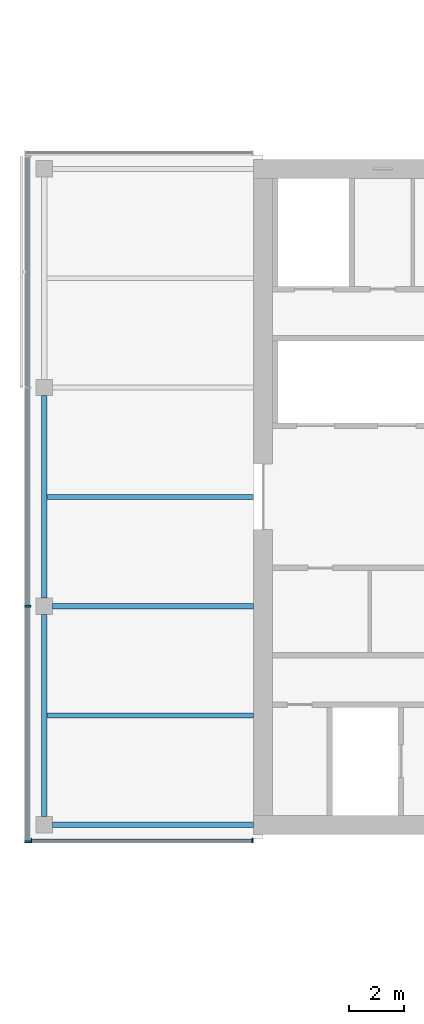
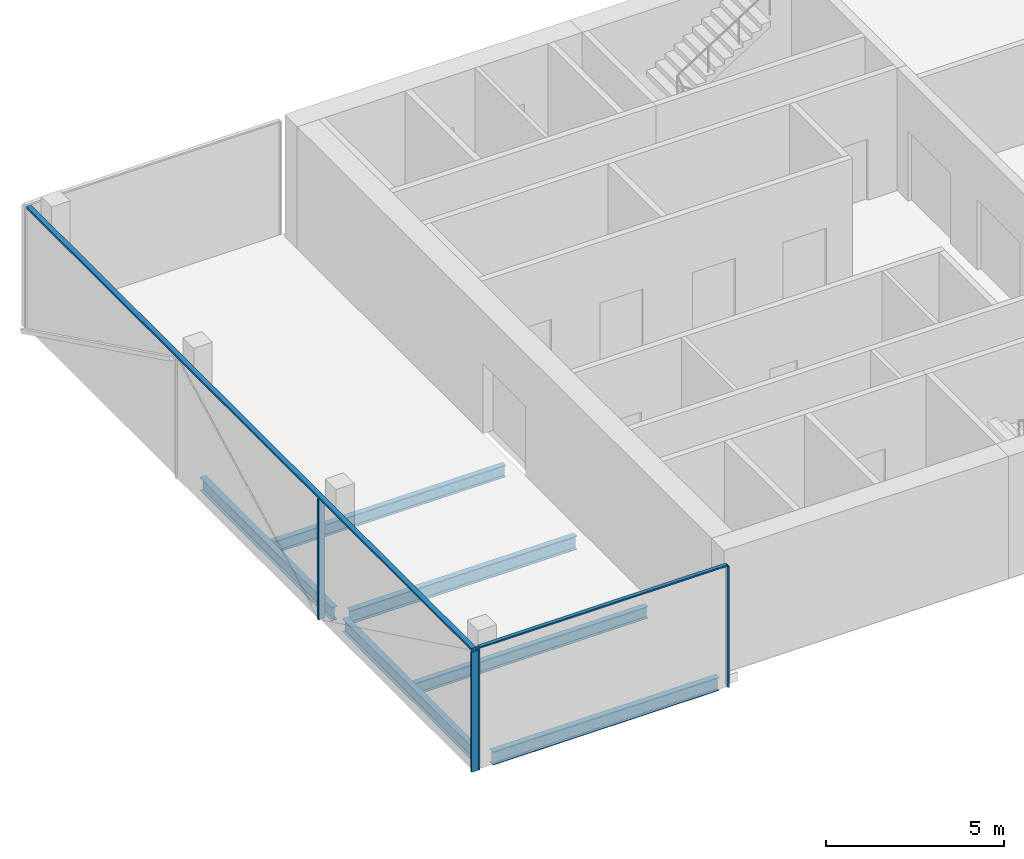
# One storey, part 3 of 22: 6 beams, 6 members, 2 elements without a shape of their own.
"""IFC4 building model written with IfcOpenShell, lengths in metres."""

from ifc_helpers import new_model, si_unit, direction, frame, origin, origin_2d, place, context, subcontext, project, spatial, rectangle, i_section, extrude, material, material_profile, profile_set, type_object, element, aggregate, save


model = new_model("IFC4")

# Units and contexts
model_context = context("Model", 3, precision=1e-05, world=origin(), true_north=direction((0.0, 1.0)))
body_context = subcontext(model_context, "Body", "Model", "MODEL_VIEW")
ifc_project = project(units=[si_unit("LENGTHUNIT", "METRE"), si_unit("AREAUNIT", "SQUARE_METRE"), si_unit("VOLUMEUNIT", "CUBIC_METRE"), si_unit("PLANEANGLEUNIT", "RADIAN"), si_unit("MASSUNIT", "GRAM", prefix="KILO")], contexts=[model_context])

# Site, building, storey
site_placement = place(None, origin())
site = spatial("IfcSite", under=ifc_project, at=site_placement, CompositionType="ELEMENT")
building_placement = place(site_placement, origin())
building = spatial("IfcBuilding", under=site, at=building_placement, Name="Crosswind Convention Tower", CompositionType="ELEMENT")
storey_placement = place(building_placement, frame((0.0, 0.0, 121.10009765625)))
storey = spatial("IfcBuildingStorey", under=building, at=storey_placement, Name="L24", CompositionType="ELEMENT", Elevation=121.10009765625)

# Beams
ifc_material_1 = material(Name="Steel S355", Category="steel")
ifc_material_profile_1 = material_profile(ifc_material_1, i_section(OverallWidth=0.18994140625, OverallDepth=0.45361328125, WebThickness=0.008544921875, FlangeThickness=0.0126953125, FilletRadius=0.01025390625, at=origin_2d()), Name="UB 457x191x67")
ifc_profile_set_1 = profile_set([ifc_material_profile_1], Name="Steel S355")
beam_type_1 = type_object("IfcBeamType", Name="Edge beam UB 457x191x67", PredefinedType="SPANDREL", material=ifc_profile_set_1)
for number, where, z_axis, x_axis, name in (
    (1, (89.0, 88.300048828125, -0.52685546875), (0.0, 1.0, 0.0), (-1.0, 0.0, 0.0), "B16 L24 edge beam 1"),
    (2, (89.0, 96.300048828125, -0.52685546875), (0.0, 1.0, 0.0), (-1.0, 0.0, 0.0), "B16 L24 edge beam 2"),
):
    element("IfcBeam", number, at=place(storey_placement, frame(where, z_axis=z_axis, x_axis=x_axis)), inside=storey, type_object=beam_type_1, Name=name, PredefinedType="SPANDREL", context=body_context, shape_type="SweptSolid", body=[
        extrude(i_section(OverallWidth=0.18994140625, OverallDepth=0.45361328125, WebThickness=0.008544921875, FlangeThickness=0.0126953125, FilletRadius=0.01025390625, at=origin_2d()), origin(), (0.0, 0.0, 1.0), 7.39990234375),
    ])
beam_1_placement = place(storey_placement, frame((89.300048828125, 88.0, -0.52685546875), z_axis=(1.0, 0.0, 0.0), x_axis=(0.0, 1.0, 0.0)))
element("IfcBeam", 3, at=beam_1_placement, inside=storey, type_object=beam_type_1, Name="B16 L24 edge beam 4", PredefinedType="SPANDREL", context=body_context, shape_type="SweptSolid", body=[
    extrude(i_section(OverallWidth=0.18994140625, OverallDepth=0.45361328125, WebThickness=0.008544921875, FlangeThickness=0.0126953125, FilletRadius=0.01025390625, at=origin_2d()), origin(), (0.0, 0.0, 1.0), 7.349853515625),
])
ifc_material_profile_2 = material_profile(ifc_material_1, i_section(OverallWidth=0.19189453125, OverallDepth=0.463623046875, WebThickness=0.010498046875, FlangeThickness=0.017578125, FilletRadius=0.01025390625, at=origin_2d()), Name="UB 457x191x90")
ifc_profile_set_2 = profile_set([ifc_material_profile_2], Name="Steel S355")
beam_type_2 = type_object("IfcBeamType", Name="Girder at core wall UB 457x191x90", PredefinedType="BEAM", material=ifc_profile_set_2)
beam_2_placement = place(storey_placement, frame((89.300048828125, 96.0, -0.531982421875), z_axis=(1.0, 0.0, 0.0), x_axis=(0.0, 1.0, 0.0)))
element("IfcBeam", 4, at=beam_2_placement, inside=storey, type_object=beam_type_2, Name="B24 L24 girder at core wall 1", PredefinedType="BEAM", context=body_context, shape_type="SweptSolid", body=[
    extrude(i_section(OverallWidth=0.19189453125, OverallDepth=0.463623046875, WebThickness=0.010498046875, FlangeThickness=0.017578125, FilletRadius=0.01025390625, at=origin_2d()), origin(), (0.0, 0.0, 1.0), 7.349853515625),
])

# Curtain wall, members
ifc_material_2 = material(Name="Aluminium unitised curtain wall", Category="aluminium")
curtain_wall_type_1 = type_object("IfcCurtainWallType", Name="CORE END SLOT WALL 160", PredefinedType="USERDEFINED", material=ifc_material_2)
curtain_wall_1_placement = place(storey_placement, origin())
curtain_wall_1 = element("IfcCurtainWall", 5, at=curtain_wall_1_placement, inside=storey, type_object=curtain_wall_type_1, Name="CW6 L24 W-S.1-1 slot", ObjectType="UNITISED", PredefinedType="USERDEFINED")
ifc_material_3 = material(Name="Aluminium mullion", Category="aluminium")
ifc_material_profile_3 = material_profile(ifc_material_3, rectangle(XDim=0.159912109375, YDim=0.050048828125, at=origin_2d()), Name="AL 160X50")
ifc_profile_set_3 = profile_set([ifc_material_profile_3], Name="Aluminium mullion")
member_type_1 = type_object("IfcMemberType", Name="MULLION 50X160", PredefinedType="MULLION", material=ifc_profile_set_3)
member_1_placement = place(storey_placement, frame((88.52490234375, 87.419921875, -0.300048828125), z_axis=(0.0, 0.0, 1.0), x_axis=(0.0, -1.0, 0.0)))
member_1 = element("IfcMember", 6, at=member_1_placement, type_object=member_type_1, Name="CW6 mullion 1", PredefinedType="MULLION", context=body_context, shape_type="SweptSolid", body=[
    extrude(rectangle(XDim=0.159912109375, YDim=0.050048828125, at=origin_2d()), origin(), (0.0, 0.0, 1.0), 4.14990234375),
])
member_2_placement = place(storey_placement, frame((96.625, 87.419921875, -0.300048828125), z_axis=(0.0, 0.0, 1.0), x_axis=(0.0, -1.0, 0.0)))
member_2 = element("IfcMember", 7, at=member_2_placement, type_object=member_type_1, Name="CW6 mullion 2", PredefinedType="MULLION", context=body_context, shape_type="SweptSolid", body=[
    extrude(rectangle(XDim=0.159912109375, YDim=0.050048828125, at=origin_2d()), origin(), (0.0, 0.0, 1.0), 4.14990234375),
])

curtain_wall_type_2 = type_object("IfcCurtainWallType", Name="OFFICE UNITISED WALL 220", PredefinedType="USERDEFINED", material=ifc_material_2)
curtain_wall_2_placement = place(storey_placement, origin())
curtain_wall_2 = element("IfcCurtainWall", 8, at=curtain_wall_2_placement, inside=storey, type_object=curtain_wall_type_2, Name="CW3 L24 W-TIP 1", ObjectType="UNITISED", PredefinedType="USERDEFINED")
ifc_material_profile_4 = material_profile(ifc_material_3, rectangle(XDim=0.219970703125, YDim=0.070068359375, at=origin_2d()), Name="AL 220X70")
ifc_profile_set_4 = profile_set([ifc_material_profile_4], Name="Aluminium mullion")
member_type_2 = type_object("IfcMemberType", Name="MULLION 70X220", PredefinedType="MULLION", material=ifc_profile_set_4)
member_3_placement = place(storey_placement, frame((88.389892578125, 96.0, -0.300048828125), z_axis=(0.0, 0.0, 1.0), x_axis=(-1.0, 0.0, 0.0)))
member_3 = element("IfcMember", 9, at=member_3_placement, type_object=member_type_2, Name="CW3 mullion 3", PredefinedType="MULLION", context=body_context, shape_type="SweptSolid", body=[
    extrude(rectangle(XDim=0.219970703125, YDim=0.070068359375, at=origin_2d()), origin(), (0.0, 0.0, 1.0), 4.1298828125),
])
member_4_placement = place(storey_placement, frame((88.389892578125, 87.375, -0.300048828125), z_axis=(0.0, 0.0, 1.0), x_axis=(-1.0, 0.0, 0.0)))
member_4 = element("IfcMember", 10, at=member_4_placement, type_object=member_type_2, Name="CW3 mullion 4", PredefinedType="MULLION", context=body_context, shape_type="SweptSolid", body=[
    extrude(rectangle(XDim=0.219970703125, YDim=0.070068359375, at=origin_2d()), origin(), (0.0, 0.0, 1.0), 4.1298828125),
])

# Beams
ifc_material_profile_5 = material_profile(ifc_material_1, i_section(OverallWidth=0.177734375, OverallDepth=0.406494140625, WebThickness=0.0078125, FlangeThickness=0.0126953125, FilletRadius=0.01025390625, at=origin_2d()), Name="UB 406x178x60")
ifc_profile_set_5 = profile_set([ifc_material_profile_5], Name="Steel S355")
beam_type_3 = type_object("IfcBeamType", Name="Secondary beam UB 406x178x60", PredefinedType="JOIST", material=ifc_profile_set_5)
for number, where, z_axis, x_axis, name in (
    (11, (89.094970703125, 92.0, -0.50341796875), (1.0, 0.0, 0.0), (0.0, 1.0, 0.0), "B10 L24 secondary beam 1"),
    (12, (89.094970703125, 100.0, -0.50341796875), (1.0, 0.0, 0.0), (0.0, 1.0, 0.0), "B10 L24 secondary beam 2"),
):
    element("IfcBeam", number, at=place(storey_placement, frame(where, z_axis=z_axis, x_axis=x_axis)), inside=storey, type_object=beam_type_3, Name=name, PredefinedType="JOIST", context=body_context, shape_type="SweptSolid", body=[
        extrude(i_section(OverallWidth=0.177734375, OverallDepth=0.406494140625, WebThickness=0.0078125, FlangeThickness=0.0126953125, FilletRadius=0.01025390625, at=origin_2d()), origin(), (0.0, 0.0, 1.0), 7.554931640625),
    ])

# Member
ifc_material_4 = material(Name="Aluminium transom", Category="aluminium")
ifc_material_profile_6 = material_profile(ifc_material_4, rectangle(XDim=0.1201171875, YDim=0.050048828125, at=origin_2d()), Name="AL 120X50")
ifc_profile_set_6 = profile_set([ifc_material_profile_6], Name="Aluminium transom")
member_type_3 = type_object("IfcMemberType", Name="TRANSOM 50X120", PredefinedType="USERDEFINED", material=ifc_profile_set_6)
member_5_placement = place(storey_placement, frame((88.550048828125, 87.419921875, 3.875), z_axis=(1.0, 0.0, 0.0), x_axis=(0.0, 1.0, 0.0)))
member_5 = element("IfcMember", 13, at=member_5_placement, type_object=member_type_3, Name="CW6 transom", ObjectType="TRANSOM", PredefinedType="USERDEFINED", context=body_context, shape_type="SweptSolid", body=[
    extrude(rectangle(XDim=0.1201171875, YDim=0.050048828125, at=origin_2d()), origin(), (0.0, 0.0, 1.0), 8.050048828125),
])

aggregate(curtain_wall_1, [member_1, member_2, member_5])

ifc_material_profile_7 = material_profile(ifc_material_4, rectangle(XDim=0.159912109375, YDim=0.070068359375, at=origin_2d()), Name="AL 160X70")
ifc_profile_set_7 = profile_set([ifc_material_profile_7], Name="Aluminium transom")
member_type_4 = type_object("IfcMemberType", Name="TRANSOM 70X160", PredefinedType="USERDEFINED", material=ifc_profile_set_7)
member_6_placement = place(storey_placement, frame((88.389892578125, 112.429931640625, 3.864990234375), z_axis=(0.0, -1.0, 0.0), x_axis=(1.0, 0.0, 0.0)))
member_6 = element("IfcMember", 14, at=member_6_placement, type_object=member_type_4, Name="CW3 transom", ObjectType="TRANSOM", PredefinedType="USERDEFINED", context=body_context, shape_type="SweptSolid", body=[
    extrude(rectangle(XDim=0.159912109375, YDim=0.070068359375, at=origin_2d()), origin(), (0.0, 0.0, 1.0), 25.02001953125),
])

aggregate(curtain_wall_2, [member_3, member_4, member_6])

save(model, "model.ifc")
